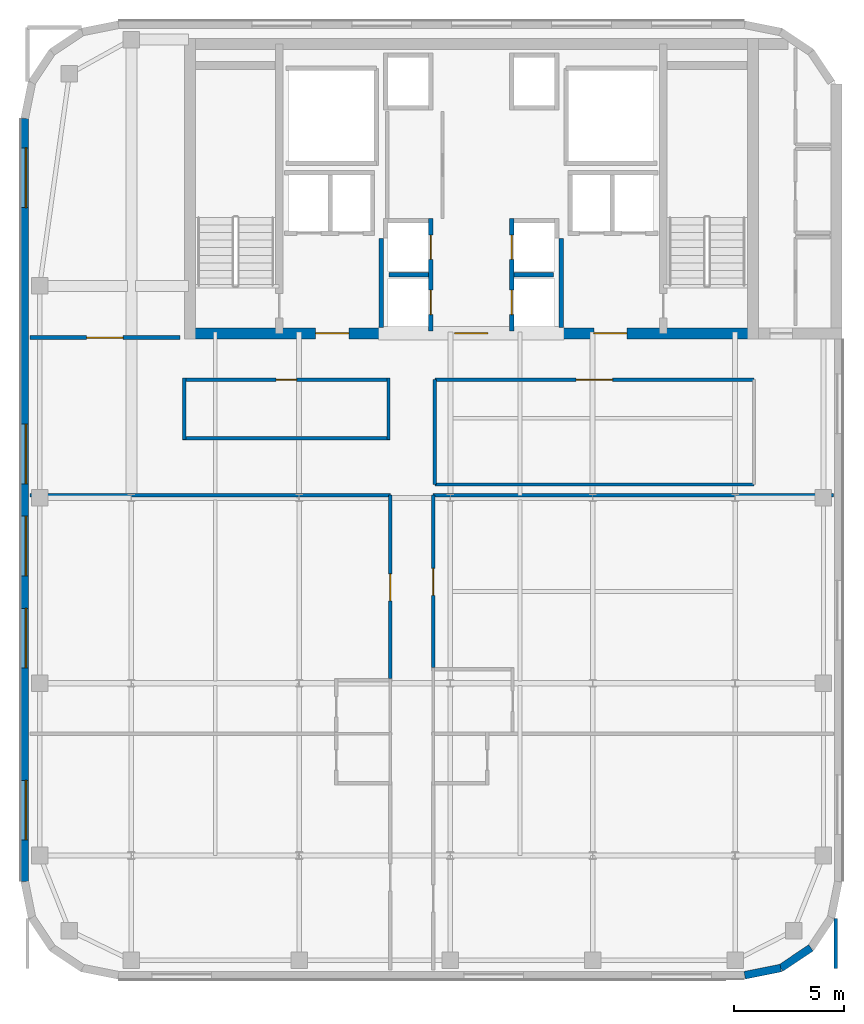
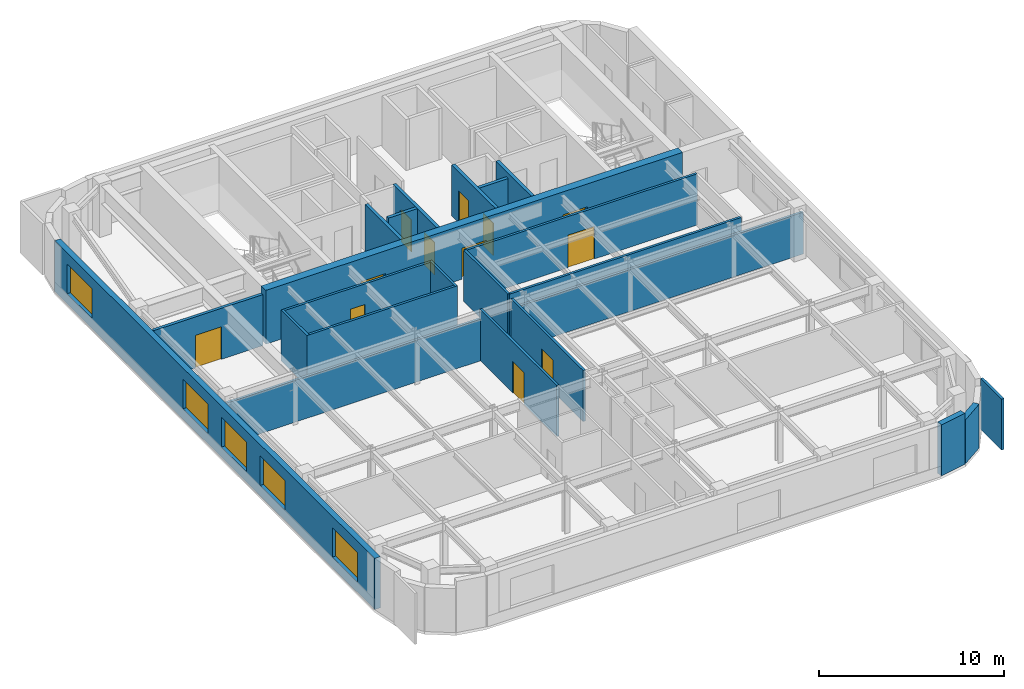
# One storey, part 4 of 10: 23 walls, 12 doors, 5 windows, 17 openings.
"""IFC4 building model written with IfcOpenShell, lengths in metres."""

import ifcopenshell
import ifcopenshell.guid

model = None  # the IFC model being written
_history = None  # IfcOwnerHistory: only IFC2X3 demands one
_inside = {}  # id of a spatial element -> (the spatial element, [elements in it])
_under = {}  # id of a project, library or spatial element -> (it, [spatial elements below it])
_declared = {}  # id of a project -> (the project, [libraries it declares])
_typed = {}  # id of a type object -> (the type object, [elements of that type])
_made_of = {}  # id of a material, layer set ... -> (it, [elements and type objects made of it])


def new_model(schema):
    """Start an empty IFC model of exactly this schema.

    Asked for "IFC4X3", IfcOpenShell would pick the latest addendum, in which some entities
    have other attributes; the version numbers below select the first issue.
    IFC2X3 requires an IfcOwnerHistory on every rooted entity: one is made here for all.
    """
    global model, _history
    if schema == "IFC4X3":
        model = ifcopenshell.file(schema_version=(4, 3, 0, 0))
    else:
        model = ifcopenshell.file(schema=schema)
    _inside.clear()
    _under.clear()
    _declared.clear()
    _typed.clear()
    _made_of.clear()
    _history = None
    if model.schema == "IFC2X3":
        org = make("IfcOrganization", Name="unknown")
        user = make(
            "IfcPersonAndOrganization",
            ThePerson=make("IfcPerson", FamilyName="unknown"),
            TheOrganization=org,
        )
        app = make(
            "IfcApplication",
            ApplicationDeveloper=org,
            Version="unknown",
            ApplicationFullName="unknown",
            ApplicationIdentifier="unknown",
        )
        _history = make(
            "IfcOwnerHistory",
            OwningUser=user,
            OwningApplication=app,
            ChangeAction="ADDED",
            CreationDate=0,
        )
    return model


def make(cls, **values):
    """One entity of the class cls with the attributes given. An attribute that is None is left unset."""
    return model.create_entity(
        cls, **{name: value for name, value in values.items() if value is not None}
    )


def rooted(cls, **values):
    """An entity with a GlobalId (a new one), such as an element, a storey or a relation."""
    return make(cls, GlobalId=ifcopenshell.guid.new(), OwnerHistory=_history, **values)


def si_unit(unit_type, name, prefix=None):
    """IfcSIUnit, for example si_unit("LENGTHUNIT", "METRE", prefix="MILLI")."""
    return make("IfcSIUnit", UnitType=unit_type, Prefix=prefix, Name=name)


def assignment(units):
    """IfcUnitAssignment: the units of a project."""
    return None if units is None else make("IfcUnitAssignment", Units=units)


def point(xyz):
    """IfcCartesianPoint."""
    return None if xyz is None else make("IfcCartesianPoint", Coordinates=xyz)


def direction(xyz):
    """IfcDirection."""
    return None if xyz is None else make("IfcDirection", DirectionRatios=xyz)


def frame(location, z_axis=None, x_axis=None):
    """IfcAxis2Placement3D, a coordinate frame: its origin and axes. An axis left out is left unset."""
    return make(
        "IfcAxis2Placement3D",
        Location=point(location),
        Axis=direction(z_axis),
        RefDirection=direction(x_axis),
    )


def frame_2d(location, x_axis=None):
    """IfcAxis2Placement2D, a coordinate frame in the plane: its origin and x axis."""
    return make(
        "IfcAxis2Placement2D", Location=point(location), RefDirection=direction(x_axis)
    )


def origin():
    """The frame at (0, 0, 0) with its axes left unset."""
    return frame((0.0, 0.0, 0.0))


def place(relative_to, where):
    """IfcLocalPlacement: puts the frame where relative to a parent placement (None: the world)."""
    return make(
        "IfcLocalPlacement", PlacementRelTo=relative_to, RelativePlacement=where
    )


def context(
    kind, dimensions, precision=None, world=None, true_north=None, identifier=None
):
    """IfcGeometricRepresentationContext, for example the 3D "Model" context."""
    return make(
        "IfcGeometricRepresentationContext",
        ContextIdentifier=identifier,
        ContextType=kind,
        CoordinateSpaceDimension=dimensions,
        Precision=precision,
        WorldCoordinateSystem=world,
        TrueNorth=true_north,
    )


def subcontext(parent, identifier, kind, view, scale=None):
    """IfcGeometricRepresentationSubContext, for example "Body" below "Model"."""
    return make(
        "IfcGeometricRepresentationSubContext",
        ContextIdentifier=identifier,
        ContextType=kind,
        ParentContext=parent,
        TargetScale=scale,
        TargetView=view,
    )


def project(units=None, contexts=None):
    """IfcProject with its units and contexts."""
    return rooted(
        "IfcProject",
        Name="project",
        RepresentationContexts=contexts,
        UnitsInContext=assignment(units),
    )


def spatial(cls, under=None, at=None, **own):
    """A site, building, storey or space (cls), placed at a placement, below another one or the project."""
    s = rooted(cls, ObjectPlacement=at, **own)
    if under is not None:
        _under.setdefault(under.id(), (under, []))[1].append(s)
    return s


def profile(cls, at=None, kind="AREA", **sizes):
    """A parametric profile (cls). Its sizes go by their IFC names, for example OverallWidth=200.0."""
    return make(cls, ProfileType=kind, Position=at, **sizes)


def rectangle(**sizes):
    """IfcRectangleProfileDef."""
    return profile("IfcRectangleProfileDef", **sizes)


def extrude(swept, where, along, depth):
    """IfcExtrudedAreaSolid: the profile swept, set in the frame where, extruded along a direction by depth."""
    return make(
        "IfcExtrudedAreaSolid",
        SweptArea=swept,
        Position=where,
        ExtrudedDirection=direction(along),
        Depth=depth,
    )


def shape(context_of_items, identifier, shape_type, items):
    """IfcShapeRepresentation: the items that make up one representation, for example the "Body"."""
    return make(
        "IfcShapeRepresentation",
        ContextOfItems=context_of_items,
        RepresentationIdentifier=identifier,
        RepresentationType=shape_type,
        Items=items,
    )


def source(mapping_origin, context_of_items, identifier, shape_type, items):
    """IfcRepresentationMap: a shape defined once, which mapped items show again and again."""
    return make(
        "IfcRepresentationMap",
        MappingOrigin=mapping_origin,
        MappedRepresentation=shape(context_of_items, identifier, shape_type, items),
    )


def transform(
    local_origin,
    x_axis=None,
    y_axis=None,
    z_axis=None,
    scale=None,
    scale2=None,
    scale3=None,
    uniform=True,
):
    """IfcCartesianTransformationOperator3D, or its non-uniform kind. x_axis, y_axis, z_axis: its Axis1, 2, 3."""
    if uniform:
        return make(
            "IfcCartesianTransformationOperator3D",
            Axis1=direction(x_axis),
            Axis2=direction(y_axis),
            LocalOrigin=point(local_origin),
            Scale=scale,
            Axis3=direction(z_axis),
        )
    return make(
        "IfcCartesianTransformationOperator3DnonUniform",
        Axis1=direction(x_axis),
        Axis2=direction(y_axis),
        LocalOrigin=point(local_origin),
        Scale=scale,
        Axis3=direction(z_axis),
        Scale2=scale2,
        Scale3=scale3,
    )


def mapped(mapping_source, mapping_target):
    """IfcMappedItem: shows the shape of a source again, moved by a transform."""
    return make(
        "IfcMappedItem", MappingSource=mapping_source, MappingTarget=mapping_target
    )


def material(Name=None, Category=None):
    """IfcMaterial."""
    return make("IfcMaterial", Name=Name, Category=Category)


def layer(
    of_material, thickness, ventilated=None, Name=None, Category=None, Priority=None
):
    """IfcMaterialLayer: one layer of a wall or slab, of a material (None: an air gap)."""
    return make(
        "IfcMaterialLayer",
        Material=of_material,
        LayerThickness=thickness,
        IsVentilated=ventilated,
        Name=Name,
        Category=Category,
        Priority=Priority,
    )


def layer_set(layers, Name=None):
    """IfcMaterialLayerSet."""
    return make("IfcMaterialLayerSet", MaterialLayers=layers, LayerSetName=Name)


def made_of(thing, what):
    """Note that an element or type object is made of a material, layer set ...; save() writes the relation."""
    if what is not None:
        _made_of.setdefault(what.id(), (what, []))[1].append(thing)
    return thing


def type_object(cls, material=None, **own):
    """A type object (cls), such as IfcWallType, which elements share."""
    return made_of(rooted(cls, **own), material)


def type_shapes(of_type, sources):
    """Give a type object the sources (RepresentationMaps) that its elements show as mapped items."""
    of_type.RepresentationMaps = sources


def element(
    cls,
    number,
    at=None,
    inside=None,
    cuts=None,
    type_object=None,
    material=None,
    context=None,
    identifier="Body",
    shape_type=None,
    held_by="IfcProductDefinitionShape",
    body=None,
    shapes=None,
    **own,
):
    """One element of the class cls, such as IfcWall. Its Tag is "e" and its number.

    at: its placement. inside: the storey or other place that contains it. cuts: it is an
    opening in that element (IfcRelVoidsElement). A single representation is given by context,
    identifier, shape_type and body (its items); several are given by shapes. held_by: the class
    of the entity that holds the representations. save() writes the other relations.
    """
    e = rooted(cls, Tag="e%d" % number, ObjectPlacement=at, **own)
    if body is not None:
        shapes = [shape(context, identifier, shape_type, body)]
    if shapes is not None:
        e.Representation = make(held_by, Representations=shapes)
    if inside is not None:
        _inside.setdefault(inside.id(), (inside, []))[1].append(e)
    if cuts is not None:
        rooted(
            "IfcRelVoidsElement", RelatingBuildingElement=cuts, RelatedOpeningElement=e
        )
    if type_object is not None:
        _typed.setdefault(type_object.id(), (type_object, []))[1].append(e)
    return made_of(e, material)


def fill(opening, filler):
    """IfcRelFillsElement: the door or window that sits in an opening."""
    return rooted(
        "IfcRelFillsElement",
        RelatingOpeningElement=opening,
        RelatedBuildingElement=filler,
    )


def aggregate(whole, parts):
    """IfcRelAggregates: a whole, such as a stair, and the parts it consists of."""
    return rooted("IfcRelAggregates", RelatingObject=whole, RelatedObjects=parts)


def save(model, path):
    """Write the relations noted so far, then the file.

    IfcRelAggregates (storeys below a building ...), IfcRelContainedInSpatialStructure (elements
    in a storey), IfcRelDefinesByType, IfcRelAssociatesMaterial and IfcRelDeclares: one each for
    every whole, place, type object, material and project.
    """
    for whole, parts in _under.values():
        aggregate(whole, parts)
    for where, things in _inside.values():
        rooted(
            "IfcRelContainedInSpatialStructure",
            RelatedElements=things,
            RelatingStructure=where,
        )
    for kind, things in _typed.values():
        rooted("IfcRelDefinesByType", RelatedObjects=things, RelatingType=kind)
    for what, things in _made_of.values():
        rooted("IfcRelAssociatesMaterial", RelatedObjects=things, RelatingMaterial=what)
    for by, libraries in _declared.values():
        rooted("IfcRelDeclares", RelatingContext=by, RelatedDefinitions=libraries)
    model.write(path)


model = new_model("IFC4")

# Units and contexts
model_context = context("Model", 3, precision=1e-05, world=origin(), true_north=direction((0.0, 1.0)))
body_context = subcontext(model_context, "Body", "Model", "MODEL_VIEW")
ifc_project = project(units=[si_unit("LENGTHUNIT", "METRE"), si_unit("AREAUNIT", "SQUARE_METRE"), si_unit("VOLUMEUNIT", "CUBIC_METRE"), si_unit("PLANEANGLEUNIT", "RADIAN"), si_unit("MASSUNIT", "GRAM", prefix="KILO")], contexts=[model_context])

# Site, building, storey
site_placement = place(None, origin())
site = spatial("IfcSite", under=ifc_project, at=site_placement, CompositionType="ELEMENT")
building_placement = place(site_placement, origin())
building = spatial("IfcBuilding", under=site, at=building_placement, Name="Tolvann Quenvar Hotel", CompositionType="ELEMENT")
storey_placement = place(building_placement, frame((0.0, 0.0, 220.35009765625)))
storey = spatial("IfcBuildingStorey", under=building, at=storey_placement, Name="L58", CompositionType="ELEMENT", Elevation=220.35009765625)

# Wall, openings, doors
ifc_material_1 = material(Name="Concrete N50 (50 MPa)", Category="concrete")
ifc_layer_1 = layer(ifc_material_1, 0.5)
ifc_layer_set_1 = layer_set([ifc_layer_1], Name="Concrete N50 (50 MPa)")
wall_type_1 = type_object("IfcWallType", Name="WALL_CORE_500", PredefinedType="SHEAR", material=ifc_layer_set_1)
wall_1_placement = place(storey_placement, frame((10.0, 31.85009765625, 0.0), z_axis=(0.0, 0.0, 1.0), x_axis=(1.0, 0.0, 0.0)))
wall_1 = element("IfcWall", 1, at=wall_1_placement, inside=storey, type_object=wall_type_1, Name="Rear Core S Shear Wall (L58)", PredefinedType="SHEAR", context=body_context, shape_type="SweptSolid", body=[
    extrude(rectangle(XDim=26.0, YDim=0.5, at=frame_2d((13.0, 0.0))), origin(), (0.0, 0.0, 1.0), 3.5498046875),
])
opening_1_placement = place(wall_1_placement, frame((7.449951171875, 0.0, 0.0), z_axis=(0.0, 0.0, 1.0), x_axis=(-1.0, 0.0, 0.0)))
opening_1 = element("IfcOpeningElement", 2, at=opening_1_placement, cuts=wall_1, Name="Opening FD-60D", PredefinedType="OPENING", context=body_context, shape_type="SweptSolid", body=[
    extrude(rectangle(XDim=1.5, YDim=2.0400390625, at=frame_2d((0.75, 1.02001953125))), frame((0.0, 0.260009765625, 0.0), z_axis=(0.0, -1.0, 0.0), x_axis=(1.0, 0.0, 0.0)), (0.0, 0.0, 1.0), 0.52001953125),
])
opening_2_placement = place(wall_1_placement, frame((13.75, 0.0, 0.0), z_axis=(0.0, 0.0, 1.0), x_axis=(-1.0, 0.0, 0.0)))
opening_2 = element("IfcOpeningElement", 3, at=opening_2_placement, cuts=wall_1, Name="Opening FD-60D", PredefinedType="OPENING", context=body_context, shape_type="SweptSolid", body=[
    extrude(rectangle(XDim=1.5, YDim=2.0400390625, at=frame_2d((0.75, 1.02001953125))), frame((0.0, 0.260009765625, 0.0), z_axis=(0.0, -1.0, 0.0), x_axis=(1.0, 0.0, 0.0)), (0.0, 0.0, 1.0), 0.52001953125),
])
opening_3_placement = place(wall_1_placement, frame((20.050048828125, 0.0, 0.0), z_axis=(0.0, 0.0, 1.0), x_axis=(-1.0, 0.0, 0.0)))
opening_3 = element("IfcOpeningElement", 4, at=opening_3_placement, cuts=wall_1, Name="Opening FD-60D", PredefinedType="OPENING", context=body_context, shape_type="SweptSolid", body=[
    extrude(rectangle(XDim=1.5, YDim=2.0400390625, at=frame_2d((0.75, 1.02001953125))), frame((0.0, 0.260009765625, 0.0), z_axis=(0.0, -1.0, 0.0), x_axis=(1.0, 0.0, 0.0)), (0.0, 0.0, 1.0), 0.52001953125),
])
ifc_material_2 = material(Name="Solid-core American oak acoustic fire door leaf in steel frame", Category="steel")
door_type_1 = type_object("IfcDoorType", Name="DOOR_FIRE_LOBBY_1500", OperationType="NOTDEFINED", PredefinedType="DOOR", material=ifc_material_2)
shared_shape_1 = source(origin(), body_context, "Body", "SweptSolid", [
    extrude(rectangle(XDim=1.5, YDim=2.0400390625, at=frame_2d((0.75, 1.02001953125))), frame((0.0, 0.02490234375, 0.0), z_axis=(0.0, -1.0, 0.0), x_axis=(1.0, 0.0, 0.0)), (0.0, 0.0, 1.0), 0.050048828125),
])
type_shapes(door_type_1, [shared_shape_1])
door_1_placement = place(opening_1_placement, origin())
door_1 = element("IfcDoor", 5, at=door_1_placement, inside=storey, type_object=door_type_1, Name="Core Lobby Fire Door FFW (L58)", OperationType="DOUBLE_DOOR_SINGLE_SWING", OverallHeight=2.0400390625, OverallWidth=1.5, PredefinedType="DOOR", context=body_context, shape_type="MappedRepresentation", body=[
    mapped(shared_shape_1, transform((0.0, 0.0, 0.0), x_axis=(1.0, 0.0, 0.0), y_axis=(0.0, 1.0, 0.0), z_axis=(0.0, 0.0, 1.0), scale=1.0)),
])
fill(opening_1, door_1)
door_2_placement = place(opening_2_placement, origin())
door_2 = element("IfcDoor", 6, at=door_2_placement, inside=storey, type_object=door_type_1, Name="Core Lobby Fire Door CLOB (L58)", OperationType="DOUBLE_DOOR_SINGLE_SWING", OverallHeight=2.0400390625, OverallWidth=1.5, PredefinedType="DOOR", context=body_context, shape_type="MappedRepresentation", body=[
    mapped(shared_shape_1, transform((0.0, 0.0, 0.0), x_axis=(1.0, 0.0, 0.0), y_axis=(0.0, 1.0, 0.0), z_axis=(0.0, 0.0, 1.0), scale=1.0)),
])
fill(opening_2, door_2)
door_3_placement = place(opening_3_placement, origin())
door_3 = element("IfcDoor", 7, at=door_3_placement, inside=storey, type_object=door_type_1, Name="Core Lobby Fire Door FFE (L58)", OperationType="DOUBLE_DOOR_SINGLE_SWING", OverallHeight=2.0400390625, OverallWidth=1.5, PredefinedType="DOOR", context=body_context, shape_type="MappedRepresentation", body=[
    mapped(shared_shape_1, transform((0.0, 0.0, 0.0), x_axis=(1.0, 0.0, 0.0), y_axis=(0.0, 1.0, 0.0), z_axis=(0.0, 0.0, 1.0), scale=1.0)),
])
fill(opening_3, door_3)

# Walls
ifc_material_3 = material(Name="Kiln-fired red and buff architectural clay brickwork and terracotta masonry", Category="masonry")
ifc_layer_2 = layer(ifc_material_3, 0.35009765625)
ifc_layer_set_2 = layer_set([ifc_layer_2], Name="Kiln-fired red and buff architectural clay brickwork and terracotta masonry")
wall_type_2 = type_object("IfcWallType", Name="WALL_EXT_BRICK_350", PredefinedType="SOLIDWALL", material=ifc_layer_set_2)
wall_2_placement = place(storey_placement, frame((35.3828125, 2.77490234375, 0.0), z_axis=(0.0, 0.0, 1.0), x_axis=(0.980788844421, 0.195072403631, 0.0)))
element("IfcWall", 8, at=wall_2_placement, inside=storey, type_object=wall_type_2, Name="Exterior Chicago Brick Wall L58-E05", PredefinedType="SOLIDWALL", context=body_context, shape_type="SweptSolid", body=[
    extrude(rectangle(XDim=1.66455078125, YDim=0.35009765625, at=frame_2d((0.832275390625, 0.0))), origin(), (0.0, 0.0, 1.0), 3.369873046875),
])
wall_3_placement = place(storey_placement, frame((37.015380859375, 3.099609375, 0.0), z_axis=(0.0, 0.0, 1.0), x_axis=(0.831434158098, 0.555623290322, 0.0)))
element("IfcWall", 9, at=wall_3_placement, inside=storey, type_object=wall_type_2, Name="Exterior Chicago Brick Wall L58-E06", PredefinedType="SOLIDWALL", context=body_context, shape_type="SweptSolid", body=[
    extrude(rectangle(XDim=1.647216796875, YDim=0.35009765625, at=frame_2d((0.82373046875, 0.0))), origin(), (0.0, 0.0, 1.0), 2.89990234375),
])

# Wall, openings, windows
wall_4_placement = place(storey_placement, frame((2.77490234375, 41.582763671875, 0.0), z_axis=(0.0, 0.0, 1.0), x_axis=(0.0, -1.0, 0.0)))
wall_4 = element("IfcWall", 10, at=wall_4_placement, inside=storey, type_object=wall_type_2, Name="Exterior Chicago Brick Wall L58-E19", PredefinedType="SOLIDWALL", context=body_context, shape_type="SweptSolid", body=[
    extrude(rectangle(XDim=34.565673828125, YDim=0.35009765625, at=frame_2d((17.28271484375, 0.0))), origin(), (0.0, 0.0, 1.0), 3.369873046875),
])
opening_4_placement = place(wall_4_placement, frame((1.3349609375, 0.0, 0.679931640625)))
opening_4 = element("IfcOpeningElement", 11, at=opening_4_placement, cuts=wall_4, Name="Opening W-04", PredefinedType="OPENING", context=body_context, shape_type="SweptSolid", body=[
    extrude(rectangle(XDim=2.699951171875, YDim=1.949951171875, at=frame_2d((1.35009765625, 0.97509765625))), frame((0.0, 0.18505859375, 0.0), z_axis=(0.0, -1.0, 0.0), x_axis=(1.0, 0.0, 0.0)), (0.0, 0.0, 1.0), 0.3701171875),
])
opening_5_placement = place(wall_4_placement, frame((13.846923828125, 0.0, 0.679931640625)))
opening_5 = element("IfcOpeningElement", 12, at=opening_5_placement, cuts=wall_4, Name="Opening W-04", PredefinedType="OPENING", context=body_context, shape_type="SweptSolid", body=[
    extrude(rectangle(XDim=2.699951171875, YDim=1.949951171875, at=frame_2d((1.35009765625, 0.97509765625))), frame((0.0, 0.18505859375, 0.0), z_axis=(0.0, -1.0, 0.0), x_axis=(1.0, 0.0, 0.0)), (0.0, 0.0, 1.0), 0.3701171875),
])
opening_6_placement = place(wall_4_placement, frame((18.01806640625, 0.0, 0.679931640625)))
opening_6 = element("IfcOpeningElement", 13, at=opening_6_placement, cuts=wall_4, Name="Opening W-04", PredefinedType="OPENING", context=body_context, shape_type="SweptSolid", body=[
    extrude(rectangle(XDim=2.699951171875, YDim=1.949951171875, at=frame_2d((1.35009765625, 0.97509765625))), frame((0.0, 0.18505859375, 0.0), z_axis=(0.0, -1.0, 0.0), x_axis=(1.0, 0.0, 0.0)), (0.0, 0.0, 1.0), 0.3701171875),
])
opening_7_placement = place(wall_4_placement, frame((22.18896484375, 0.0, 0.679931640625)))
opening_7 = element("IfcOpeningElement", 14, at=opening_7_placement, cuts=wall_4, Name="Opening W-04", PredefinedType="OPENING", context=body_context, shape_type="SweptSolid", body=[
    extrude(rectangle(XDim=2.699951171875, YDim=1.949951171875, at=frame_2d((1.35009765625, 0.97509765625))), frame((0.0, 0.18505859375, 0.0), z_axis=(0.0, -1.0, 0.0), x_axis=(1.0, 0.0, 0.0)), (0.0, 0.0, 1.0), 0.3701171875),
])
opening_8_placement = place(wall_4_placement, frame((29.97998046875, 0.0, 0.679931640625)))
opening_8 = element("IfcOpeningElement", 15, at=opening_8_placement, cuts=wall_4, Name="Opening W-04", PredefinedType="OPENING", context=body_context, shape_type="SweptSolid", body=[
    extrude(rectangle(XDim=2.699951171875, YDim=1.949951171875, at=frame_2d((1.35009765625, 0.97509765625))), frame((0.0, 0.18505859375, 0.0), z_axis=(0.0, -1.0, 0.0), x_axis=(1.0, 0.0, 0.0)), (0.0, 0.0, 1.0), 0.3701171875),
])
ifc_material_4 = material(Name="Thermally broken bronze-anodised aluminium frame with double low-E glazing", Category="aluminium")
window_type = type_object("IfcWindowType", Name="WIN_STE_2700x2150", PartitioningType="TRIPLE_PANEL_HORIZONTAL", PredefinedType="WINDOW", material=ifc_material_4)
shared_shape_2 = source(origin(), body_context, "Body", "SweptSolid", [
    extrude(rectangle(XDim=2.699951171875, YDim=1.949951171875, at=frame_2d((1.35009765625, 0.97509765625))), frame((0.0, 0.090087890625, 0.0), z_axis=(0.0, -1.0, 0.0), x_axis=(1.0, 0.0, 0.0)), (0.0, 0.0, 1.0), 0.06005859375),
])
type_shapes(window_type, [shared_shape_2])
window_1_placement = place(opening_4_placement, origin())
window_1 = element("IfcWindow", 16, at=window_1_placement, inside=storey, type_object=window_type, Name="Chicago Window W-04 (EW-L58-E19-W01)", OverallHeight=1.949951171875, OverallWidth=2.699951171875, PartitioningType="TRIPLE_PANEL_HORIZONTAL", PredefinedType="WINDOW", context=body_context, shape_type="MappedRepresentation", body=[
    mapped(shared_shape_2, transform((0.0, 0.0, 0.0), x_axis=(1.0, 0.0, 0.0), y_axis=(0.0, 1.0, 0.0), z_axis=(0.0, 0.0, 1.0), scale=1.0)),
])
fill(opening_4, window_1)
window_2_placement = place(opening_5_placement, origin())
window_2 = element("IfcWindow", 17, at=window_2_placement, inside=storey, type_object=window_type, Name="Chicago Window W-04 (EW-L58-E19-W02)", OverallHeight=1.949951171875, OverallWidth=2.699951171875, PartitioningType="TRIPLE_PANEL_HORIZONTAL", PredefinedType="WINDOW", context=body_context, shape_type="MappedRepresentation", body=[
    mapped(shared_shape_2, transform((0.0, 0.0, 0.0), x_axis=(1.0, 0.0, 0.0), y_axis=(0.0, 1.0, 0.0), z_axis=(0.0, 0.0, 1.0), scale=1.0)),
])
fill(opening_5, window_2)
window_3_placement = place(opening_6_placement, origin())
window_3 = element("IfcWindow", 18, at=window_3_placement, inside=storey, type_object=window_type, Name="Chicago Window W-04 (EW-L58-E19-W03)", OverallHeight=1.949951171875, OverallWidth=2.699951171875, PartitioningType="TRIPLE_PANEL_HORIZONTAL", PredefinedType="WINDOW", context=body_context, shape_type="MappedRepresentation", body=[
    mapped(shared_shape_2, transform((0.0, 0.0, 0.0), x_axis=(1.0, 0.0, 0.0), y_axis=(0.0, 1.0, 0.0), z_axis=(0.0, 0.0, 1.0), scale=1.0)),
])
fill(opening_6, window_3)
window_4_placement = place(opening_7_placement, origin())
window_4 = element("IfcWindow", 19, at=window_4_placement, inside=storey, type_object=window_type, Name="Chicago Window W-04 (EW-L58-E19-W04)", OverallHeight=1.949951171875, OverallWidth=2.699951171875, PartitioningType="TRIPLE_PANEL_HORIZONTAL", PredefinedType="WINDOW", context=body_context, shape_type="MappedRepresentation", body=[
    mapped(shared_shape_2, transform((0.0, 0.0, 0.0), x_axis=(1.0, 0.0, 0.0), y_axis=(0.0, 1.0, 0.0), z_axis=(0.0, 0.0, 1.0), scale=1.0)),
])
fill(opening_7, window_4)
window_5_placement = place(opening_8_placement, origin())
window_5 = element("IfcWindow", 20, at=window_5_placement, inside=storey, type_object=window_type, Name="Chicago Window W-04 (EW-L58-E19-W05)", OverallHeight=1.949951171875, OverallWidth=2.699951171875, PartitioningType="TRIPLE_PANEL_HORIZONTAL", PredefinedType="WINDOW", context=body_context, shape_type="MappedRepresentation", body=[
    mapped(shared_shape_2, transform((0.0, 0.0, 0.0), x_axis=(1.0, 0.0, 0.0), y_axis=(0.0, 1.0, 0.0), z_axis=(0.0, 0.0, 1.0), scale=1.0)),
])
fill(opening_8, window_5)

# Wall, opening, door
ifc_material_5 = material(Name="Acoustic twin-stud fire-rated gypsum plasterboard partition")
ifc_layer_3 = layer(ifc_material_5, 0.179931640625)
ifc_layer_set_3 = layer_set([ifc_layer_3], Name="Acoustic twin-stud fire-rated gypsum plasterboard partition")
wall_type_3 = type_object("IfcWallType", Name="WALL_PART_ACOUSTIC_180", PredefinedType="PARTITIONING", material=ifc_layer_set_3)
wall_5_placement = place(storey_placement, frame((3.0048828125, 31.64990234375, 0.0), z_axis=(0.0, 0.0, 1.0), x_axis=(1.0, 0.0, 0.0)))
wall_5 = element("IfcWall", 21, at=wall_5_placement, inside=storey, type_object=wall_type_3, Name="Interior Partition PT-SPC-L58-SAL-S", PredefinedType="PARTITIONING", context=body_context, shape_type="SweptSolid", body=[
    extrude(rectangle(XDim=6.795166015625, YDim=0.179931640625, at=frame_2d((3.3974609375, 0.0))), origin(), (0.0, 0.0, 1.0), 3.369873046875),
])
opening_9_placement = place(wall_5_placement, frame((2.572509765625, 0.0, 0.0)))
opening_9 = element("IfcOpeningElement", 22, at=opening_9_placement, cuts=wall_5, Name="Opening AD-01", PredefinedType="OPENING", context=body_context, shape_type="SweptSolid", body=[
    extrude(rectangle(XDim=1.64990234375, YDim=2.14990234375, at=frame_2d((0.824951171875, 1.074951171875))), frame((0.0, 0.10009765625, 0.0), z_axis=(0.0, -1.0, 0.0), x_axis=(1.0, 0.0, 0.0)), (0.0, 0.0, 1.0), 0.199951171875),
])
door_type_2 = type_object("IfcDoorType", Name="DOOR_SALON_1650", OperationType="NOTDEFINED", PredefinedType="DOOR", material=ifc_material_2)
shared_shape_3 = source(origin(), body_context, "Body", "SweptSolid", [
    extrude(rectangle(XDim=1.64990234375, YDim=2.14990234375, at=frame_2d((0.824951171875, 1.074951171875))), frame((0.0, 0.02490234375, 0.0), z_axis=(0.0, -1.0, 0.0), x_axis=(1.0, 0.0, 0.0)), (0.0, 0.0, 1.0), 0.050048828125),
])
type_shapes(door_type_2, [shared_shape_3])
door_4_placement = place(opening_9_placement, origin())
door_4 = element("IfcDoor", 23, at=door_4_placement, inside=storey, type_object=door_type_2, Name="Interior Door DOOR-SPC-L58-SAL", OperationType="DOUBLE_DOOR_SINGLE_SWING", OverallHeight=2.14990234375, OverallWidth=1.64990234375, PredefinedType="DOOR", context=body_context, shape_type="MappedRepresentation", body=[
    mapped(shared_shape_3, transform((0.0, 0.0, 0.0), x_axis=(1.0, 0.0, 0.0), y_axis=(0.0, 1.0, 0.0), z_axis=(0.0, 0.0, 1.0), scale=1.0)),
])
fill(opening_9, door_4)

ifc_layer_4 = layer(ifc_material_5, 0.14990234375)
ifc_layer_set_4 = layer_set([ifc_layer_4], Name="Acoustic twin-stud fire-rated gypsum plasterboard partition")
wall_type_4 = type_object("IfcWallType", Name="WALL_PART_SUITE_150", PredefinedType="PARTITIONING", material=ifc_layer_set_4)
wall_6_placement = place(storey_placement, frame((19.330078125, 16.2099609375, 0.0), z_axis=(0.0, 0.0, 1.0), x_axis=(0.0, 1.0, 0.0)))
wall_6 = element("IfcWall", 24, at=wall_6_placement, inside=storey, type_object=wall_type_4, Name="Interior Partition PT-SPC-L58-RM-WO02-ENT", PredefinedType="PARTITIONING", context=body_context, shape_type="SweptSolid", body=[
    extrude(rectangle(XDim=8.31005859375, YDim=0.14990234375, at=frame_2d((4.155029296875, 0.0))), origin(), (0.0, 0.0, 1.0), 3.369873046875),
])
opening_10_placement = place(wall_6_placement, frame((3.52490234375, 0.0, 0.0)))
opening_10 = element("IfcOpeningElement", 25, at=opening_10_placement, cuts=wall_6, Name="Opening SD-02", PredefinedType="OPENING", context=body_context, shape_type="SweptSolid", body=[
    extrude(rectangle(XDim=1.219970703125, YDim=2.080078125, at=frame_2d((0.60986328125, 1.0400390625))), frame((0.0, 0.0849609375, 0.0), z_axis=(0.0, -1.0, 0.0), x_axis=(1.0, 0.0, 0.0)), (0.0, 0.0, 1.0), 0.169921875),
])
door_type_3 = type_object("IfcDoorType", Name="DOOR_VIP_1220", OperationType="NOTDEFINED", PredefinedType="DOOR", material=ifc_material_2)
shared_shape_4 = source(origin(), body_context, "Body", "SweptSolid", [
    extrude(rectangle(XDim=1.219970703125, YDim=2.080078125, at=frame_2d((0.60986328125, 1.0400390625))), frame((0.0, 0.02490234375, 0.0), z_axis=(0.0, -1.0, 0.0), x_axis=(1.0, 0.0, 0.0)), (0.0, 0.0, 1.0), 0.050048828125),
])
type_shapes(door_type_3, [shared_shape_4])
door_5_placement = place(opening_10_placement, origin())
door_5 = element("IfcDoor", 26, at=door_5_placement, inside=storey, type_object=door_type_3, Name="Interior Door DOOR-SPC-L58-RM-WO02", OperationType="SINGLE_SWING_RIGHT", OverallHeight=2.080078125, OverallWidth=1.219970703125, PredefinedType="DOOR", context=body_context, shape_type="MappedRepresentation", body=[
    mapped(shared_shape_4, transform((0.0, 0.0, 0.0), x_axis=(1.0, 0.0, 0.0), y_axis=(0.0, 1.0, 0.0), z_axis=(0.0, 0.0, 1.0), scale=1.0)),
])
fill(opening_10, door_5)

# Walls
wall_7_placement = place(storey_placement, frame((3.0048828125, 24.52001953125, 0.0), z_axis=(0.0, 0.0, 1.0), x_axis=(1.0, 0.0, 0.0)))
element("IfcWall", 27, at=wall_7_placement, inside=storey, type_object=wall_type_4, Name="Interior Partition PT-SPC-L58-RM-WO02-E5", PredefinedType="PARTITIONING", context=body_context, shape_type="SweptSolid", body=[
    extrude(rectangle(XDim=16.3251953125, YDim=0.14990234375, at=frame_2d((8.16259765625, 0.0))), origin(), (0.0, 0.0, 1.0), 2.7578125),
])
wall_8_placement = place(storey_placement, frame((39.5, 3.080078125, 0.0), z_axis=(0.0, 0.0, 1.0), x_axis=(0.0, 1.0, 0.0)))
element("IfcWall", 28, at=wall_8_placement, inside=storey, type_object=wall_type_4, Name="Interior Partition PT-SPC-L58-RM-EO01-E2", PredefinedType="PARTITIONING", context=body_context, shape_type="SweptSolid", body=[
    extrude(rectangle(XDim=2.264892578125, YDim=0.14990234375, at=frame_2d((1.13232421875, 0.0))), origin(), (0.0, 0.0, 1.0), 3.369873046875),
])

# Wall, opening, door
wall_9_placement = place(storey_placement, frame((21.27001953125, 16.7099609375, 0.0), z_axis=(0.0, 0.0, 1.0), x_axis=(0.0, 1.0, 0.0)))
wall_9 = element("IfcWall", 29, at=wall_9_placement, inside=storey, type_object=wall_type_4, Name="Interior Partition PT-SPC-L58-RM-EO02-ENT", PredefinedType="PARTITIONING", context=body_context, shape_type="SweptSolid", body=[
    extrude(rectangle(XDim=7.81005859375, YDim=0.14990234375, at=frame_2d((3.905029296875, 0.0))), origin(), (0.0, 0.0, 1.0), 3.369873046875),
])
opening_11_placement = place(wall_9_placement, frame((3.27490234375, 0.0, 0.0)))
opening_11 = element("IfcOpeningElement", 30, at=opening_11_placement, cuts=wall_9, Name="Opening SD-02", PredefinedType="OPENING", context=body_context, shape_type="SweptSolid", body=[
    extrude(rectangle(XDim=1.219970703125, YDim=2.080078125, at=frame_2d((0.60986328125, 1.0400390625))), frame((0.0, 0.0849609375, 0.0), z_axis=(0.0, -1.0, 0.0), x_axis=(1.0, 0.0, 0.0)), (0.0, 0.0, 1.0), 0.169921875),
])
door_6_placement = place(opening_11_placement, origin())
door_6 = element("IfcDoor", 31, at=door_6_placement, inside=storey, type_object=door_type_3, Name="Interior Door DOOR-SPC-L58-RM-EO02", OperationType="SINGLE_SWING_RIGHT", OverallHeight=2.080078125, OverallWidth=1.219970703125, PredefinedType="DOOR", context=body_context, shape_type="MappedRepresentation", body=[
    mapped(shared_shape_4, transform((0.0, 0.0, 0.0), x_axis=(1.0, 0.0, 0.0), y_axis=(0.0, 1.0, 0.0), z_axis=(0.0, 0.0, 1.0), scale=1.0)),
])
fill(opening_11, door_6)

# Walls
wall_10_placement = place(storey_placement, frame((21.27001953125, 24.52001953125, 0.0), z_axis=(0.0, 0.0, 1.0), x_axis=(1.0, 0.0, 0.0)))
element("IfcWall", 32, at=wall_10_placement, inside=storey, type_object=wall_type_4, Name="Interior Partition PT-SPC-L58-RM-EO02-E5", PredefinedType="PARTITIONING", context=body_context, shape_type="SweptSolid", body=[
    extrude(rectangle(XDim=18.125, YDim=0.14990234375, at=frame_2d((9.0625, 0.0))), origin(), (0.0, 0.0, 1.0), 2.7578125),
])
wall_11_placement = place(storey_placement, frame((9.929931640625, 27.10009765625, 0.0), z_axis=(0.0, 0.0, 1.0), x_axis=(1.0, 0.0, 0.0)))
element("IfcWall", 33, at=wall_11_placement, inside=storey, type_object=wall_type_4, Name="Interior Partition PT-SPC-L58-WCA-S", PredefinedType="PARTITIONING", context=body_context, shape_type="SweptSolid", body=[
    extrude(rectangle(XDim=9.39013671875, YDim=0.14990234375, at=frame_2d((4.695068359375, 0.0))), origin(), (0.0, 0.0, 1.0), 3.369873046875),
])

# Wall, opening, door
wall_12_placement = place(storey_placement, frame((9.929931640625, 29.75, 0.0), z_axis=(0.0, 0.0, 1.0), x_axis=(1.0, 0.0, 0.0)))
wall_12 = element("IfcWall", 34, at=wall_12_placement, inside=storey, type_object=wall_type_4, Name="Interior Partition PT-SPC-L58-WCA-N", PredefinedType="PARTITIONING", context=body_context, shape_type="SweptSolid", body=[
    extrude(rectangle(XDim=9.39013671875, YDim=0.14990234375, at=frame_2d((4.695068359375, 0.0))), origin(), (0.0, 0.0, 1.0), 3.369873046875),
])
opening_12_placement = place(wall_12_placement, frame((4.235107421875, 0.0, 0.0)))
opening_12 = element("IfcOpeningElement", 35, at=opening_12_placement, cuts=wall_12, Name="Opening WD-01", PredefinedType="OPENING", context=body_context, shape_type="SweptSolid", body=[
    extrude(rectangle(XDim=0.919921875, YDim=2.010009765625, at=frame_2d((0.4599609375, 1.0048828125))), frame((0.0, 0.0849609375, 0.0), z_axis=(0.0, -1.0, 0.0), x_axis=(1.0, 0.0, 0.0)), (0.0, 0.0, 1.0), 0.169921875),
])
door_type_4 = type_object("IfcDoorType", Name="DOOR_WC_920", OperationType="NOTDEFINED", PredefinedType="DOOR", material=ifc_material_2)
shared_shape_5 = source(origin(), body_context, "Body", "SweptSolid", [
    extrude(rectangle(XDim=0.919921875, YDim=2.010009765625, at=frame_2d((0.4599609375, 1.0048828125))), frame((0.0, 0.02490234375, 0.0), z_axis=(0.0, -1.0, 0.0), x_axis=(1.0, 0.0, 0.0)), (0.0, 0.0, 1.0), 0.050048828125),
])
type_shapes(door_type_4, [shared_shape_5])
door_7_placement = place(opening_12_placement, origin())
door_7 = element("IfcDoor", 36, at=door_7_placement, inside=storey, type_object=door_type_4, Name="Interior Door DOOR-SPC-L58-WCA", OperationType="SINGLE_SWING_LEFT", OverallHeight=2.010009765625, OverallWidth=0.919921875, PredefinedType="DOOR", context=body_context, shape_type="MappedRepresentation", body=[
    mapped(shared_shape_5, transform((0.0, 0.0, 0.0), x_axis=(1.0, 0.0, 0.0), y_axis=(0.0, 1.0, 0.0), z_axis=(0.0, 0.0, 1.0), scale=1.0)),
])
fill(opening_12, door_7)

# Walls
for number, where, z_axis, x_axis, name in (
    (37, (10.0, 27.030029296875, 0.0), (0.0, 0.0, 1.0), (0.0, 1.0, 0.0), "Interior Partition PT-SPC-L58-WCA-W"),
    (38, (19.25, 27.030029296875, 0.0), (0.0, 0.0, 1.0), (0.0, 1.0, 0.0), "Interior Partition PT-SPC-L58-WCA-E"),
):
    element("IfcWall", number, at=place(storey_placement, frame(where, z_axis=z_axis, x_axis=x_axis)), inside=storey, type_object=wall_type_4, Name=name, PredefinedType="PARTITIONING", context=body_context, shape_type="SweptSolid", body=[
        extrude(rectangle(XDim=2.7900390625, YDim=0.14990234375, at=frame_2d((1.39501953125, 0.0))), origin(), (0.0, 0.0, 1.0), 3.369873046875),
    ])
wall_13_placement = place(storey_placement, frame((21.35009765625, 25.0, 0.0), z_axis=(0.0, 0.0, 1.0), x_axis=(1.0, 0.0, 0.0)))
element("IfcWall", 39, at=wall_13_placement, inside=storey, type_object=wall_type_4, Name="Interior Partition PT-SPC-L58-LOUNGE-S", PredefinedType="PARTITIONING", context=body_context, shape_type="SweptSolid", body=[
    extrude(rectangle(XDim=14.449951171875, YDim=0.14990234375, at=frame_2d((7.22509765625, 0.0))), origin(), (0.0, 0.0, 1.0), 3.369873046875),
])

# Wall, opening, door
wall_14_placement = place(storey_placement, frame((21.35009765625, 29.75, 0.0), z_axis=(0.0, 0.0, 1.0), x_axis=(1.0, 0.0, 0.0)))
wall_14 = element("IfcWall", 40, at=wall_14_placement, inside=storey, type_object=wall_type_4, Name="Interior Partition PT-SPC-L58-LOUNGE-N", PredefinedType="PARTITIONING", context=body_context, shape_type="SweptSolid", body=[
    extrude(rectangle(XDim=14.449951171875, YDim=0.14990234375, at=frame_2d((7.22509765625, 0.0))), origin(), (0.0, 0.0, 1.0), 3.369873046875),
])
opening_13_placement = place(wall_14_placement, frame((6.39990234375, 0.0, 0.0)))
opening_13 = element("IfcOpeningElement", 41, at=opening_13_placement, cuts=wall_14, Name="Opening AD-01", PredefinedType="OPENING", context=body_context, shape_type="SweptSolid", body=[
    extrude(rectangle(XDim=1.64990234375, YDim=2.14990234375, at=frame_2d((0.824951171875, 1.074951171875))), frame((0.0, 0.0849609375, 0.0), z_axis=(0.0, -1.0, 0.0), x_axis=(1.0, 0.0, 0.0)), (0.0, 0.0, 1.0), 0.169921875),
])
door_8_placement = place(opening_13_placement, origin())
door_8 = element("IfcDoor", 42, at=door_8_placement, inside=storey, type_object=door_type_2, Name="Interior Door DOOR-SPC-L58-LOUNGE", OperationType="DOUBLE_DOOR_SINGLE_SWING", OverallHeight=2.14990234375, OverallWidth=1.64990234375, PredefinedType="DOOR", context=body_context, shape_type="MappedRepresentation", body=[
    mapped(shared_shape_3, transform((0.0, 0.0, 0.0), x_axis=(1.0, 0.0, 0.0), y_axis=(0.0, 1.0, 0.0), z_axis=(0.0, 0.0, 1.0), scale=1.0)),
])
fill(opening_13, door_8)

# Walls
wall_15_placement = place(storey_placement, frame((21.35009765625, 25.0, 0.0), z_axis=(0.0, 0.0, 1.0), x_axis=(0.0, 1.0, 0.0)))
element("IfcWall", 43, at=wall_15_placement, inside=storey, type_object=wall_type_4, Name="Interior Partition PT-SPC-L58-LOUNGE-W", PredefinedType="PARTITIONING", context=body_context, shape_type="SweptSolid", body=[
    extrude(rectangle(XDim=4.75, YDim=0.14990234375, at=frame_2d((2.375, 0.0))), origin(), (0.0, 0.0, 1.0), 3.369873046875),
])
ifc_material_6 = material(Name="Concrete N40 (40 MPa)", Category="concrete")
ifc_layer_5 = layer(ifc_material_6, 0.199951171875)
ifc_layer_set_5 = layer_set([ifc_layer_5], Name="Concrete N40 (40 MPa)")
wall_type_5 = type_object("IfcWallType", Name="WALL_SHAFT_200", PredefinedType="SOLIDWALL", material=ifc_layer_set_5)
for number, where, z_axis, x_axis, name in (
    (44, (18.919921875, 32.10400390625, 0.0), (0.0, 0.0, 1.0), (0.0, 1.0, 0.0), "Firefighting Lobby W Inner Fire Wall (L58)"),
    (45, (27.080078125, 32.10400390625, 0.0), (0.0, 0.0, 1.0), (0.0, 1.0, 0.0), "Firefighting Lobby E Inner Fire Wall (L58)"),
):
    element("IfcWall", number, at=place(storey_placement, frame(where, z_axis=z_axis, x_axis=x_axis)), inside=storey, type_object=wall_type_5, Name=name, PredefinedType="SOLIDWALL", context=body_context, shape_type="SweptSolid", body=[
        extrude(rectangle(XDim=4.0458984375, YDim=0.199951171875, at=frame_2d((2.02294921875, 0.0))), origin(), (0.0, 0.0, 1.0), 3.369873046875),
    ])

# Wall, openings, doors
wall_16_placement = place(storey_placement, frame((21.169921875, 31.9599609375, 0.0), z_axis=(0.0, 0.0, 1.0), x_axis=(0.0, 1.0, 0.0)))
wall_16 = element("IfcWall", 46, at=wall_16_placement, inside=storey, type_object=wall_type_5, Name="Lift Bank E21.1C1 Hoistway Front Wall (L58)", PredefinedType="SOLIDWALL", context=body_context, shape_type="SweptSolid", body=[
    extrude(rectangle(XDim=5.080078125, YDim=0.199951171875, at=frame_2d((2.5400390625, 0.0))), origin(), (0.0, 0.0, 1.0), 3.369873046875),
])
opening_14_placement = place(wall_16_placement, frame((0.739990234375, 0.0, 0.0)))
opening_14 = element("IfcOpeningElement", 47, at=opening_14_placement, cuts=wall_16, Name="Opening LD-01", PredefinedType="OPENING", context=body_context, shape_type="SweptSolid", body=[
    extrude(rectangle(XDim=1.10009765625, YDim=2.1201171875, at=frame_2d((0.550048828125, 1.06005859375))), frame((0.0, 0.10986328125, 0.0), z_axis=(0.0, -1.0, 0.0), x_axis=(1.0, 0.0, 0.0)), (0.0, 0.0, 1.0), 0.219970703125),
])
opening_15_placement = place(wall_16_placement, frame((3.239990234375, 0.0, 0.0)))
opening_15 = element("IfcOpeningElement", 48, at=opening_15_placement, cuts=wall_16, Name="Opening LD-01", PredefinedType="OPENING", context=body_context, shape_type="SweptSolid", body=[
    extrude(rectangle(XDim=1.10009765625, YDim=2.1201171875, at=frame_2d((0.550048828125, 1.06005859375))), frame((0.0, 0.10986328125, 0.0), z_axis=(0.0, -1.0, 0.0), x_axis=(1.0, 0.0, 0.0)), (0.0, 0.0, 1.0), 0.219970703125),
])
ifc_material_7 = material(Name="Brushed 316 stainless steel automatic sliding lift landing door", Category="steel")
door_type_5 = type_object("IfcDoorType", Name="DOOR_LIFT_SLIDE_1100", OperationType="NOTDEFINED", PredefinedType="DOOR", material=ifc_material_7)
shared_shape_6 = source(origin(), body_context, "Body", "SweptSolid", [
    extrude(rectangle(XDim=1.10009765625, YDim=2.1201171875, at=frame_2d((0.550048828125, 1.06005859375))), frame((0.0, 0.02490234375, 0.0), z_axis=(0.0, -1.0, 0.0), x_axis=(1.0, 0.0, 0.0)), (0.0, 0.0, 1.0), 0.050048828125),
])
type_shapes(door_type_5, [shared_shape_6])
door_9_placement = place(opening_14_placement, origin())
door_9 = element("IfcDoor", 49, at=door_9_placement, inside=storey, type_object=door_type_5, Name="Lift PH-1 Sliding Landing Door (L58)", OperationType="SLIDING_TO_LEFT", OverallHeight=2.1201171875, OverallWidth=1.10009765625, PredefinedType="DOOR", context=body_context, shape_type="MappedRepresentation", body=[
    mapped(shared_shape_6, transform((0.0, 0.0, 0.0), x_axis=(1.0, 0.0, 0.0), y_axis=(0.0, 1.0, 0.0), z_axis=(0.0, 0.0, 1.0), scale=1.0)),
])
fill(opening_14, door_9)
door_10_placement = place(opening_15_placement, origin())
door_10 = element("IfcDoor", 50, at=door_10_placement, inside=storey, type_object=door_type_5, Name="Lift PH-2 Sliding Landing Door (L58)", OperationType="SLIDING_TO_RIGHT", OverallHeight=2.1201171875, OverallWidth=1.10009765625, PredefinedType="DOOR", context=body_context, shape_type="MappedRepresentation", body=[
    mapped(shared_shape_6, transform((0.0, 0.0, 0.0), x_axis=(1.0, 0.0, 0.0), y_axis=(0.0, 1.0, 0.0), z_axis=(0.0, 0.0, 1.0), scale=1.0)),
])
fill(opening_15, door_10)

# Wall
wall_17_placement = place(storey_placement, frame((19.27001953125, 34.5, 0.0), z_axis=(0.0, 0.0, 1.0), x_axis=(1.0, 0.0, 0.0)))
element("IfcWall", 51, at=wall_17_placement, inside=storey, type_object=wall_type_5, Name="Lift Bank E21.1C1 Divider Wall 1 (L58)", PredefinedType="SOLIDWALL", context=body_context, shape_type="SweptSolid", body=[
    extrude(rectangle(XDim=1.800048828125, YDim=0.199951171875, at=frame_2d((0.89990234375, 0.0))), origin(), (0.0, 0.0, 1.0), 3.369873046875),
])

# Wall, openings, doors
wall_18_placement = place(storey_placement, frame((24.830078125, 31.9599609375, 0.0), z_axis=(0.0, 0.0, 1.0), x_axis=(0.0, 1.0, 0.0)))
wall_18 = element("IfcWall", 52, at=wall_18_placement, inside=storey, type_object=wall_type_5, Name="Lift Bank W24.9C1 Hoistway Front Wall (L58)", PredefinedType="SOLIDWALL", context=body_context, shape_type="SweptSolid", body=[
    extrude(rectangle(XDim=5.080078125, YDim=0.199951171875, at=frame_2d((2.5400390625, 0.0))), origin(), (0.0, 0.0, 1.0), 3.369873046875),
])
opening_16_placement = place(wall_18_placement, frame((0.739990234375, 0.0, 0.0)))
opening_16 = element("IfcOpeningElement", 53, at=opening_16_placement, cuts=wall_18, Name="Opening LD-01", PredefinedType="OPENING", context=body_context, shape_type="SweptSolid", body=[
    extrude(rectangle(XDim=1.10009765625, YDim=2.1201171875, at=frame_2d((0.550048828125, 1.06005859375))), frame((0.0, 0.10986328125, 0.0), z_axis=(0.0, -1.0, 0.0), x_axis=(1.0, 0.0, 0.0)), (0.0, 0.0, 1.0), 0.219970703125),
])
opening_17_placement = place(wall_18_placement, frame((3.239990234375, 0.0, 0.0)))
opening_17 = element("IfcOpeningElement", 54, at=opening_17_placement, cuts=wall_18, Name="Opening LD-01", PredefinedType="OPENING", context=body_context, shape_type="SweptSolid", body=[
    extrude(rectangle(XDim=1.10009765625, YDim=2.1201171875, at=frame_2d((0.550048828125, 1.06005859375))), frame((0.0, 0.10986328125, 0.0), z_axis=(0.0, -1.0, 0.0), x_axis=(1.0, 0.0, 0.0)), (0.0, 0.0, 1.0), 0.219970703125),
])
door_11_placement = place(opening_16_placement, origin())
door_11 = element("IfcDoor", 55, at=door_11_placement, inside=storey, type_object=door_type_5, Name="Lift PH-3 Sliding Landing Door (L58)", OperationType="SLIDING_TO_LEFT", OverallHeight=2.1201171875, OverallWidth=1.10009765625, PredefinedType="DOOR", context=body_context, shape_type="MappedRepresentation", body=[
    mapped(shared_shape_6, transform((0.0, 0.0, 0.0), x_axis=(1.0, 0.0, 0.0), y_axis=(0.0, 1.0, 0.0), z_axis=(0.0, 0.0, 1.0), scale=1.0)),
])
fill(opening_16, door_11)
door_12_placement = place(opening_17_placement, origin())
door_12 = element("IfcDoor", 56, at=door_12_placement, inside=storey, type_object=door_type_5, Name="Lift PH-4 Sliding Landing Door (L58)", OperationType="SLIDING_TO_RIGHT", OverallHeight=2.1201171875, OverallWidth=1.10009765625, PredefinedType="DOOR", context=body_context, shape_type="MappedRepresentation", body=[
    mapped(shared_shape_6, transform((0.0, 0.0, 0.0), x_axis=(1.0, 0.0, 0.0), y_axis=(0.0, 1.0, 0.0), z_axis=(0.0, 0.0, 1.0), scale=1.0)),
])
fill(opening_17, door_12)

# Wall
wall_19_placement = place(storey_placement, frame((24.929931640625, 34.5, 0.0), z_axis=(0.0, 0.0, 1.0), x_axis=(1.0, 0.0, 0.0)))
element("IfcWall", 57, at=wall_19_placement, inside=storey, type_object=wall_type_5, Name="Lift Bank W24.9C1 Divider Wall 1 (L58)", PredefinedType="SOLIDWALL", context=body_context, shape_type="SweptSolid", body=[
    extrude(rectangle(XDim=1.800048828125, YDim=0.199951171875, at=frame_2d((0.89990234375, 0.0))), origin(), (0.0, 0.0, 1.0), 3.369873046875),
])

save(model, "model.ifc")
